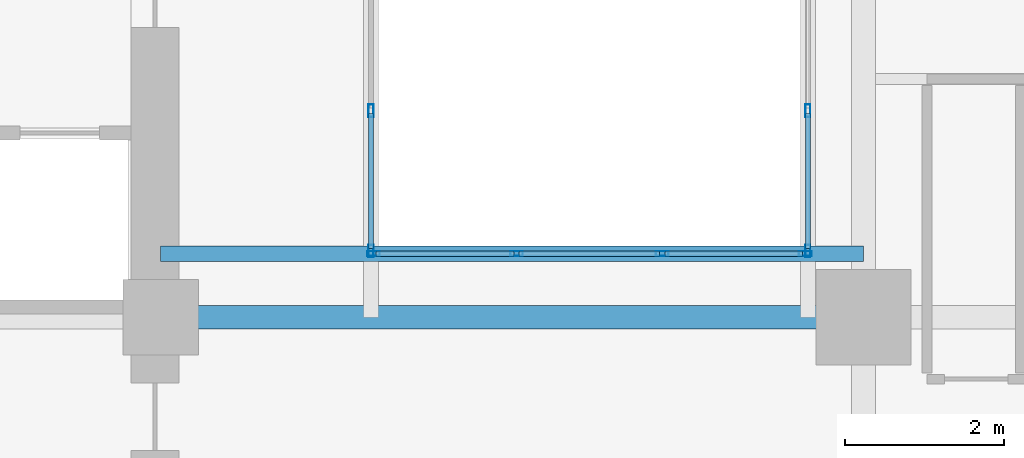
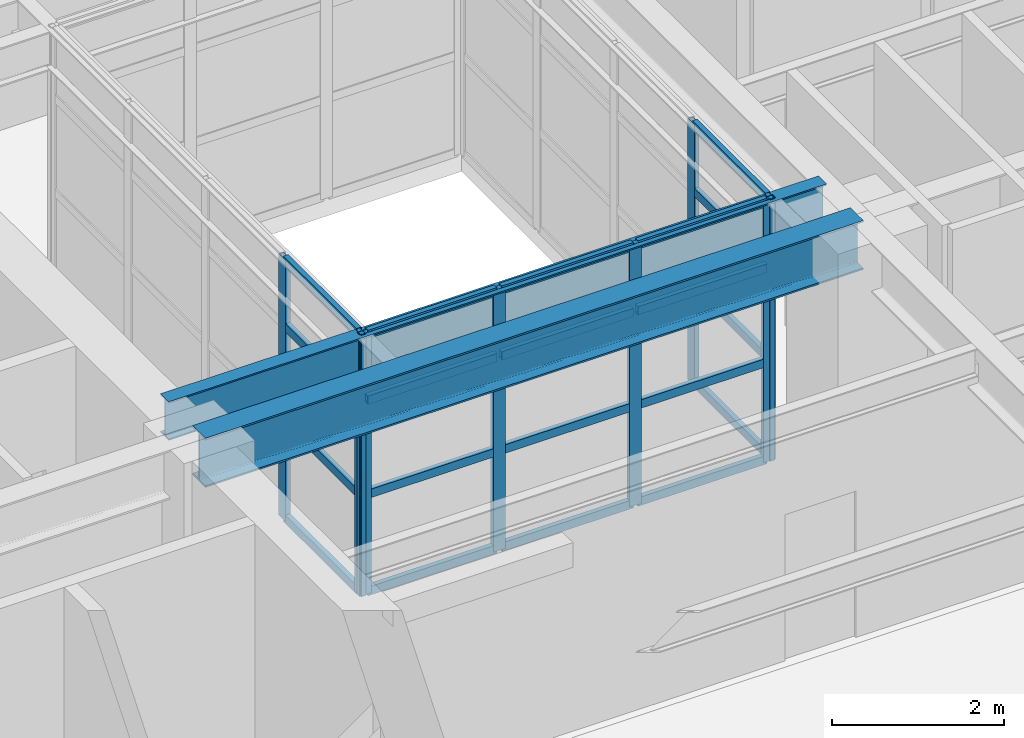
# One storey, part 2 of 17: 28 members, 2 beams, 3 elements without a shape of their own.
"""IFC4 building model written with IfcOpenShell, lengths in metres."""

from ifc_helpers import new_model, si_unit, direction, frame, origin, origin_2d, place, context, subcontext, project, spatial, hollow_rectangle, i_section, extrude, material, layer, layer_set, material_profile, profile_set, type_object, element, aggregate, save


model = new_model("IFC4")

# Units and contexts
model_context = context("Model", 3, precision=1e-05, world=origin(), true_north=direction((0.0, 1.0)))
body_context = subcontext(model_context, "Body", "Model", "MODEL_VIEW")
ifc_project = project(units=[si_unit("LENGTHUNIT", "METRE"), si_unit("AREAUNIT", "SQUARE_METRE"), si_unit("VOLUMEUNIT", "CUBIC_METRE"), si_unit("PLANEANGLEUNIT", "RADIAN"), si_unit("MASSUNIT", "GRAM", prefix="KILO")], contexts=[model_context])

# Site, building, storey
site_placement = place(None, origin())
site = spatial("IfcSite", under=ifc_project, at=site_placement, CompositionType="ELEMENT")
building_placement = place(site_placement, origin())
building = spatial("IfcBuilding", under=site, at=building_placement, Name="Kundavana Baori Tower", CompositionType="ELEMENT")
storey_placement = place(building_placement, frame((0.0, 0.0, 26.0)))
storey = spatial("IfcBuildingStorey", under=building, at=storey_placement, Name="L05", CompositionType="ELEMENT", Elevation=26.0)

# Beams
ifc_material_1 = material(Name="Structural Steel S355JR", Category="steel")
ifc_material_profile_1 = material_profile(ifc_material_1, i_section(OverallWidth=0.18994140625, OverallDepth=0.550048828125, WebThickness=0.01123046875, FlangeThickness=0.019287109375, FilletRadius=0.01806640625, at=origin_2d()), Name="ISMB 550")
ifc_profile_set_1 = profile_set([ifc_material_profile_1], Name="Structural Steel S355JR")
beam_type_1 = type_object("IfcBeamType", Name="BM-ST-550", PredefinedType="BEAM", material=ifc_profile_set_1)
beam_1_placement = place(storey_placement, frame((24.949951171875, 25.0, 3.445068359375), z_axis=(1.0, 0.0, 0.0), x_axis=(0.0, 1.0, 0.0)))
element("IfcBeam", 1, at=beam_1_placement, inside=storey, type_object=beam_type_1, Name="L05 Atrium South Edge Beam", PredefinedType="BEAM", context=body_context, shape_type="SweptSolid", body=[
    extrude(i_section(OverallWidth=0.18994140625, OverallDepth=0.550048828125, WebThickness=0.01123046875, FlangeThickness=0.019287109375, FilletRadius=0.01806640625, at=origin_2d()), origin(), (0.0, 0.0, 1.0), 8.85009765625),
])
ifc_material_2 = material(Name="Structural Steel S355JR", Category="steel")
ifc_material_profile_2 = material_profile(ifc_material_2, i_section(OverallWidth=0.300048828125, OverallDepth=0.699951171875, WebThickness=0.014404296875, FlangeThickness=0.02392578125, FilletRadius=0.02392578125, at=origin_2d()), Name="NPB 700x300x170")
ifc_profile_set_2 = profile_set([ifc_material_profile_2], Name="Structural Steel S355JR")
beam_type_2 = type_object("IfcBeamType", Name="BM-ST-700", PredefinedType="BEAM", material=ifc_profile_set_2)
beam_2_placement = place(storey_placement, frame((24.949951171875, 24.199951171875, 3.3701171875), z_axis=(1.0, 0.0, 0.0), x_axis=(0.0, 1.0, 0.0)))
element("IfcBeam", 2, at=beam_2_placement, inside=storey, type_object=beam_type_2, Name="L05 Primary Grid Girder GX-2-2", PredefinedType="BEAM", context=body_context, shape_type="SweptSolid", body=[
    extrude(i_section(OverallWidth=0.300048828125, OverallDepth=0.699951171875, WebThickness=0.014404296875, FlangeThickness=0.02392578125, FilletRadius=0.02392578125, at=origin_2d()), origin(), (0.0, 0.0, 1.0), 8.85009765625),
])

# Curtain wall, members
ifc_material_3 = material(Name="Thermally Broken Anodised Aluminium Framing", Category="aluminium")
ifc_layer = layer(ifc_material_3, 0.18994140625, Name="CW-SYS-3")
ifc_layer_set = layer_set([ifc_layer], Name="Thermally Broken Anodised Aluminium Framing")
curtain_wall_type = type_object("IfcCurtainWallType", Name="CW-SYS-3", PredefinedType="NOTDEFINED", material=ifc_layer_set)
curtain_wall_1_placement = place(storey_placement, origin())
curtain_wall_1 = element("IfcCurtainWall", 3, at=curtain_wall_1_placement, inside=storey, type_object=curtain_wall_type, Name="L05 Atrium Glazed Curtain Wall S", PredefinedType="NOTDEFINED")
ifc_material_4 = material(Name="Thermally Broken Anodised Aluminium Framing", Category="aluminium")
ifc_material_profile_3 = material_profile(ifc_material_4, hollow_rectangle(XDim=0.06494140625, YDim=0.159912109375, WallThickness=0.00390625, at=origin_2d()), Name="CW-MULL-160")
ifc_profile_set_3 = profile_set([ifc_material_profile_3], Name="Thermally Broken Anodised Aluminium Framing")
member_type_1 = type_object("IfcMemberType", Name="CW-MULL-160", PredefinedType="MULLION", material=ifc_profile_set_3)
member_1_placement = place(storey_placement, frame((27.632568359375, 25.0, 0.0), z_axis=(0.0, 0.0, 1.0), x_axis=(0.0, 1.0, 0.0)))
member_1 = element("IfcMember", 4, at=member_1_placement, type_object=member_type_1, Name="CW3 mullion 1", PredefinedType="MULLION", context=body_context, shape_type="SweptSolid", body=[
    extrude(hollow_rectangle(XDim=0.06494140625, YDim=0.159912109375, WallThickness=0.00390625, at=origin_2d()), origin(), (0.0, 0.0, 1.0), 3.719970703125),
])
member_2_placement = place(storey_placement, frame((29.433349609375, 25.0, 0.0), z_axis=(0.0, 0.0, 1.0), x_axis=(0.0, 1.0, 0.0)))
member_2 = element("IfcMember", 5, at=member_2_placement, type_object=member_type_1, Name="CW3 mullion 2", PredefinedType="MULLION", context=body_context, shape_type="SweptSolid", body=[
    extrude(hollow_rectangle(XDim=0.06494140625, YDim=0.159912109375, WallThickness=0.00390625, at=origin_2d()), origin(), (0.0, 0.0, 1.0), 3.719970703125),
])
member_3_placement = place(storey_placement, frame((31.2666015625, 25.0, 0.0), z_axis=(0.0, 0.0, 1.0), x_axis=(0.0, 1.0, 0.0)))
member_3 = element("IfcMember", 6, at=member_3_placement, type_object=member_type_1, Name="CW3 mullion 3", PredefinedType="MULLION", context=body_context, shape_type="SweptSolid", body=[
    extrude(hollow_rectangle(XDim=0.06494140625, YDim=0.159912109375, WallThickness=0.00390625, at=origin_2d()), origin(), (0.0, 0.0, 1.0), 3.719970703125),
])
member_4_placement = place(storey_placement, frame((33.0673828125, 25.0, 0.0), z_axis=(0.0, 0.0, 1.0), x_axis=(0.0, 1.0, 0.0)))
member_4 = element("IfcMember", 7, at=member_4_placement, type_object=member_type_1, Name="CW3 mullion 4", PredefinedType="MULLION", context=body_context, shape_type="SweptSolid", body=[
    extrude(hollow_rectangle(XDim=0.06494140625, YDim=0.159912109375, WallThickness=0.00390625, at=origin_2d()), origin(), (0.0, 0.0, 1.0), 3.719970703125),
])

curtain_wall_2_placement = place(storey_placement, origin())
curtain_wall_2 = element("IfcCurtainWall", 8, at=curtain_wall_2_placement, inside=storey, type_object=curtain_wall_type, Name="L05 Atrium Glazed Curtain Wall E", PredefinedType="NOTDEFINED")
member_5_placement = place(storey_placement, frame((33.10009765625, 25.032470703125, 0.0), z_axis=(0.0, 0.0, 1.0), x_axis=(-1.0, 0.0, 0.0)))
member_5 = element("IfcMember", 9, at=member_5_placement, type_object=member_type_1, Name="CW3 mullion 1", PredefinedType="MULLION", context=body_context, shape_type="SweptSolid", body=[
    extrude(hollow_rectangle(XDim=0.06494140625, YDim=0.159912109375, WallThickness=0.00390625, at=origin_2d()), origin(), (0.0, 0.0, 1.0), 3.719970703125),
])
member_6_placement = place(storey_placement, frame((33.10009765625, 26.800048828125, 0.0), z_axis=(0.0, 0.0, 1.0), x_axis=(-1.0, 0.0, 0.0)))
member_6 = element("IfcMember", 10, at=member_6_placement, type_object=member_type_1, Name="CW3 mullion 2", PredefinedType="MULLION", context=body_context, shape_type="SweptSolid", body=[
    extrude(hollow_rectangle(XDim=0.06494140625, YDim=0.159912109375, WallThickness=0.00390625, at=origin_2d()), origin(), (0.0, 0.0, 1.0), 3.719970703125),
])

curtain_wall_3_placement = place(storey_placement, origin())
curtain_wall_3 = element("IfcCurtainWall", 11, at=curtain_wall_3_placement, inside=storey, type_object=curtain_wall_type, Name="L05 Atrium Glazed Curtain Wall W", PredefinedType="NOTDEFINED")
member_7_placement = place(storey_placement, frame((27.60009765625, 26.800048828125, 0.0), z_axis=(0.0, 0.0, 1.0), x_axis=(1.0, 0.0, 0.0)))
member_7 = element("IfcMember", 12, at=member_7_placement, type_object=member_type_1, Name="CW3 mullion 4", PredefinedType="MULLION", context=body_context, shape_type="SweptSolid", body=[
    extrude(hollow_rectangle(XDim=0.06494140625, YDim=0.159912109375, WallThickness=0.00390625, at=origin_2d()), origin(), (0.0, 0.0, 1.0), 3.719970703125),
])
member_8_placement = place(storey_placement, frame((27.60009765625, 25.032470703125, 0.0), z_axis=(0.0, 0.0, 1.0), x_axis=(1.0, 0.0, 0.0)))
member_8 = element("IfcMember", 13, at=member_8_placement, type_object=member_type_1, Name="CW3 mullion 5", PredefinedType="MULLION", context=body_context, shape_type="SweptSolid", body=[
    extrude(hollow_rectangle(XDim=0.06494140625, YDim=0.159912109375, WallThickness=0.00390625, at=origin_2d()), origin(), (0.0, 0.0, 1.0), 3.719970703125),
])

# Member
ifc_material_5 = material(Name="Thermally Broken Anodised Aluminium Framing", Category="aluminium")
ifc_material_profile_4 = material_profile(ifc_material_5, hollow_rectangle(XDim=0.06494140625, YDim=0.1201171875, WallThickness=0.00390625, at=origin_2d()), Name="CW-TRAN-120")
ifc_profile_set_4 = profile_set([ifc_material_profile_4], Name="Thermally Broken Anodised Aluminium Framing")
member_type_2 = type_object("IfcMemberType", Name="CW-TRAN-120", PredefinedType="USERDEFINED", material=ifc_profile_set_4)
member_9_placement = place(storey_placement, frame((27.6650390625, 25.0, 0.032470703125), z_axis=(1.0, 0.0, 0.0), x_axis=(0.0, 1.0, 0.0)))
member_9 = element("IfcMember", 14, at=member_9_placement, type_object=member_type_2, Name="CW3 transom 1.1", ObjectType="TRANSOM", PredefinedType="USERDEFINED", context=body_context, shape_type="SweptSolid", body=[
    extrude(hollow_rectangle(XDim=0.06494140625, YDim=0.1201171875, WallThickness=0.00390625, at=origin_2d()), origin(), (0.0, 0.0, 1.0), 1.73583984375),
])

member_10_placement = place(storey_placement, frame((27.6650390625, 25.0, 1.41357421875), z_axis=(1.0, 0.0, 0.0), x_axis=(0.0, 1.0, 0.0)))
member_10 = element("IfcMember", 15, at=member_10_placement, type_object=member_type_2, Name="CW3 transom 1.2", ObjectType="TRANSOM", PredefinedType="USERDEFINED", context=body_context, shape_type="SweptSolid", body=[
    extrude(hollow_rectangle(XDim=0.06494140625, YDim=0.1201171875, WallThickness=0.00390625, at=origin_2d()), origin(), (0.0, 0.0, 1.0), 1.73583984375),
])

member_11_placement = place(storey_placement, frame((27.6650390625, 25.0, 2.752685546875), z_axis=(1.0, 0.0, 0.0), x_axis=(0.0, 1.0, 0.0)))
member_11 = element("IfcMember", 16, at=member_11_placement, type_object=member_type_2, Name="CW3 transom 1.3", ObjectType="TRANSOM", PredefinedType="USERDEFINED", context=body_context, shape_type="SweptSolid", body=[
    extrude(hollow_rectangle(XDim=0.06494140625, YDim=0.1201171875, WallThickness=0.00390625, at=origin_2d()), origin(), (0.0, 0.0, 1.0), 1.73583984375),
])

member_12_placement = place(storey_placement, frame((27.6650390625, 25.0, 3.6875), z_axis=(1.0, 0.0, 0.0), x_axis=(0.0, 1.0, 0.0)))
member_12 = element("IfcMember", 17, at=member_12_placement, type_object=member_type_2, Name="CW3 transom 1.4", ObjectType="TRANSOM", PredefinedType="USERDEFINED", context=body_context, shape_type="SweptSolid", body=[
    extrude(hollow_rectangle(XDim=0.06494140625, YDim=0.1201171875, WallThickness=0.00390625, at=origin_2d()), origin(), (0.0, 0.0, 1.0), 1.73583984375),
])

member_13_placement = place(storey_placement, frame((29.4658203125, 25.0, 0.032470703125), z_axis=(1.0, 0.0, 0.0), x_axis=(0.0, 1.0, 0.0)))
member_13 = element("IfcMember", 18, at=member_13_placement, type_object=member_type_2, Name="CW3 transom 2.1", ObjectType="TRANSOM", PredefinedType="USERDEFINED", context=body_context, shape_type="SweptSolid", body=[
    extrude(hollow_rectangle(XDim=0.06494140625, YDim=0.1201171875, WallThickness=0.00390625, at=origin_2d()), origin(), (0.0, 0.0, 1.0), 1.768310546875),
])

member_14_placement = place(storey_placement, frame((29.4658203125, 25.0, 1.41357421875), z_axis=(1.0, 0.0, 0.0), x_axis=(0.0, 1.0, 0.0)))
member_14 = element("IfcMember", 19, at=member_14_placement, type_object=member_type_2, Name="CW3 transom 2.2", ObjectType="TRANSOM", PredefinedType="USERDEFINED", context=body_context, shape_type="SweptSolid", body=[
    extrude(hollow_rectangle(XDim=0.06494140625, YDim=0.1201171875, WallThickness=0.00390625, at=origin_2d()), origin(), (0.0, 0.0, 1.0), 1.768310546875),
])

member_15_placement = place(storey_placement, frame((29.4658203125, 25.0, 2.752685546875), z_axis=(1.0, 0.0, 0.0), x_axis=(0.0, 1.0, 0.0)))
member_15 = element("IfcMember", 20, at=member_15_placement, type_object=member_type_2, Name="CW3 transom 2.3", ObjectType="TRANSOM", PredefinedType="USERDEFINED", context=body_context, shape_type="SweptSolid", body=[
    extrude(hollow_rectangle(XDim=0.06494140625, YDim=0.1201171875, WallThickness=0.00390625, at=origin_2d()), origin(), (0.0, 0.0, 1.0), 1.768310546875),
])

member_16_placement = place(storey_placement, frame((29.4658203125, 25.0, 3.6875), z_axis=(1.0, 0.0, 0.0), x_axis=(0.0, 1.0, 0.0)))
member_16 = element("IfcMember", 21, at=member_16_placement, type_object=member_type_2, Name="CW3 transom 2.4", ObjectType="TRANSOM", PredefinedType="USERDEFINED", context=body_context, shape_type="SweptSolid", body=[
    extrude(hollow_rectangle(XDim=0.06494140625, YDim=0.1201171875, WallThickness=0.00390625, at=origin_2d()), origin(), (0.0, 0.0, 1.0), 1.768310546875),
])

member_17_placement = place(storey_placement, frame((31.299072265625, 25.0, 0.032470703125), z_axis=(1.0, 0.0, 0.0), x_axis=(0.0, 1.0, 0.0)))
member_17 = element("IfcMember", 22, at=member_17_placement, type_object=member_type_2, Name="CW3 transom 3.1", ObjectType="TRANSOM", PredefinedType="USERDEFINED", context=body_context, shape_type="SweptSolid", body=[
    extrude(hollow_rectangle(XDim=0.06494140625, YDim=0.1201171875, WallThickness=0.00390625, at=origin_2d()), origin(), (0.0, 0.0, 1.0), 1.73583984375),
])

member_18_placement = place(storey_placement, frame((31.299072265625, 25.0, 1.41357421875), z_axis=(1.0, 0.0, 0.0), x_axis=(0.0, 1.0, 0.0)))
member_18 = element("IfcMember", 23, at=member_18_placement, type_object=member_type_2, Name="CW3 transom 3.2", ObjectType="TRANSOM", PredefinedType="USERDEFINED", context=body_context, shape_type="SweptSolid", body=[
    extrude(hollow_rectangle(XDim=0.06494140625, YDim=0.1201171875, WallThickness=0.00390625, at=origin_2d()), origin(), (0.0, 0.0, 1.0), 1.73583984375),
])

member_19_placement = place(storey_placement, frame((31.299072265625, 25.0, 2.752685546875), z_axis=(1.0, 0.0, 0.0), x_axis=(0.0, 1.0, 0.0)))
member_19 = element("IfcMember", 24, at=member_19_placement, type_object=member_type_2, Name="CW3 transom 3.3", ObjectType="TRANSOM", PredefinedType="USERDEFINED", context=body_context, shape_type="SweptSolid", body=[
    extrude(hollow_rectangle(XDim=0.06494140625, YDim=0.1201171875, WallThickness=0.00390625, at=origin_2d()), origin(), (0.0, 0.0, 1.0), 1.73583984375),
])

member_20_placement = place(storey_placement, frame((31.299072265625, 25.0, 3.6875), z_axis=(1.0, 0.0, 0.0), x_axis=(0.0, 1.0, 0.0)))
member_20 = element("IfcMember", 25, at=member_20_placement, type_object=member_type_2, Name="CW3 transom 3.4", ObjectType="TRANSOM", PredefinedType="USERDEFINED", context=body_context, shape_type="SweptSolid", body=[
    extrude(hollow_rectangle(XDim=0.06494140625, YDim=0.1201171875, WallThickness=0.00390625, at=origin_2d()), origin(), (0.0, 0.0, 1.0), 1.73583984375),
])

aggregate(curtain_wall_1, [member_1, member_2, member_3, member_4, member_9, member_10, member_11, member_12, member_13, member_14, member_15, member_16, member_17, member_18, member_19, member_20])

member_21_placement = place(storey_placement, frame((33.10009765625, 25.06494140625, 0.032470703125), z_axis=(0.0, 1.0, 0.0), x_axis=(-1.0, 0.0, 0.0)))
member_21 = element("IfcMember", 26, at=member_21_placement, type_object=member_type_2, Name="CW3 transom 1.1", ObjectType="TRANSOM", PredefinedType="USERDEFINED", context=body_context, shape_type="SweptSolid", body=[
    extrude(hollow_rectangle(XDim=0.06494140625, YDim=0.1201171875, WallThickness=0.00390625, at=origin_2d()), origin(), (0.0, 0.0, 1.0), 1.70263671875),
])

member_22_placement = place(storey_placement, frame((33.10009765625, 25.06494140625, 1.41357421875), z_axis=(0.0, 1.0, 0.0), x_axis=(-1.0, 0.0, 0.0)))
member_22 = element("IfcMember", 27, at=member_22_placement, type_object=member_type_2, Name="CW3 transom 1.2", ObjectType="TRANSOM", PredefinedType="USERDEFINED", context=body_context, shape_type="SweptSolid", body=[
    extrude(hollow_rectangle(XDim=0.06494140625, YDim=0.1201171875, WallThickness=0.00390625, at=origin_2d()), origin(), (0.0, 0.0, 1.0), 1.70263671875),
])

member_23_placement = place(storey_placement, frame((33.10009765625, 25.06494140625, 2.752685546875), z_axis=(0.0, 1.0, 0.0), x_axis=(-1.0, 0.0, 0.0)))
member_23 = element("IfcMember", 28, at=member_23_placement, type_object=member_type_2, Name="CW3 transom 1.3", ObjectType="TRANSOM", PredefinedType="USERDEFINED", context=body_context, shape_type="SweptSolid", body=[
    extrude(hollow_rectangle(XDim=0.06494140625, YDim=0.1201171875, WallThickness=0.00390625, at=origin_2d()), origin(), (0.0, 0.0, 1.0), 1.70263671875),
])

member_24_placement = place(storey_placement, frame((33.10009765625, 25.06494140625, 3.6875), z_axis=(0.0, 1.0, 0.0), x_axis=(-1.0, 0.0, 0.0)))
member_24 = element("IfcMember", 29, at=member_24_placement, type_object=member_type_2, Name="CW3 transom 1.4", ObjectType="TRANSOM", PredefinedType="USERDEFINED", context=body_context, shape_type="SweptSolid", body=[
    extrude(hollow_rectangle(XDim=0.06494140625, YDim=0.1201171875, WallThickness=0.00390625, at=origin_2d()), origin(), (0.0, 0.0, 1.0), 1.70263671875),
])

aggregate(curtain_wall_2, [member_5, member_6, member_21, member_22, member_23, member_24])

member_25_placement = place(storey_placement, frame((27.60009765625, 26.767578125, 0.032470703125), z_axis=(0.0, -1.0, 0.0), x_axis=(1.0, 0.0, 0.0)))
member_25 = element("IfcMember", 30, at=member_25_placement, type_object=member_type_2, Name="CW3 transom 4.1", ObjectType="TRANSOM", PredefinedType="USERDEFINED", context=body_context, shape_type="SweptSolid", body=[
    extrude(hollow_rectangle(XDim=0.06494140625, YDim=0.1201171875, WallThickness=0.00390625, at=origin_2d()), origin(), (0.0, 0.0, 1.0), 1.70263671875),
])

member_26_placement = place(storey_placement, frame((27.60009765625, 26.767578125, 1.41357421875), z_axis=(0.0, -1.0, 0.0), x_axis=(1.0, 0.0, 0.0)))
member_26 = element("IfcMember", 31, at=member_26_placement, type_object=member_type_2, Name="CW3 transom 4.2", ObjectType="TRANSOM", PredefinedType="USERDEFINED", context=body_context, shape_type="SweptSolid", body=[
    extrude(hollow_rectangle(XDim=0.06494140625, YDim=0.1201171875, WallThickness=0.00390625, at=origin_2d()), origin(), (0.0, 0.0, 1.0), 1.70263671875),
])

member_27_placement = place(storey_placement, frame((27.60009765625, 26.767578125, 2.752685546875), z_axis=(0.0, -1.0, 0.0), x_axis=(1.0, 0.0, 0.0)))
member_27 = element("IfcMember", 32, at=member_27_placement, type_object=member_type_2, Name="CW3 transom 4.3", ObjectType="TRANSOM", PredefinedType="USERDEFINED", context=body_context, shape_type="SweptSolid", body=[
    extrude(hollow_rectangle(XDim=0.06494140625, YDim=0.1201171875, WallThickness=0.00390625, at=origin_2d()), origin(), (0.0, 0.0, 1.0), 1.70263671875),
])

member_28_placement = place(storey_placement, frame((27.60009765625, 26.767578125, 3.6875), z_axis=(0.0, -1.0, 0.0), x_axis=(1.0, 0.0, 0.0)))
member_28 = element("IfcMember", 33, at=member_28_placement, type_object=member_type_2, Name="CW3 transom 4.4", ObjectType="TRANSOM", PredefinedType="USERDEFINED", context=body_context, shape_type="SweptSolid", body=[
    extrude(hollow_rectangle(XDim=0.06494140625, YDim=0.1201171875, WallThickness=0.00390625, at=origin_2d()), origin(), (0.0, 0.0, 1.0), 1.70263671875),
])

aggregate(curtain_wall_3, [member_7, member_8, member_25, member_26, member_27, member_28])

save(model, "model.ifc")
